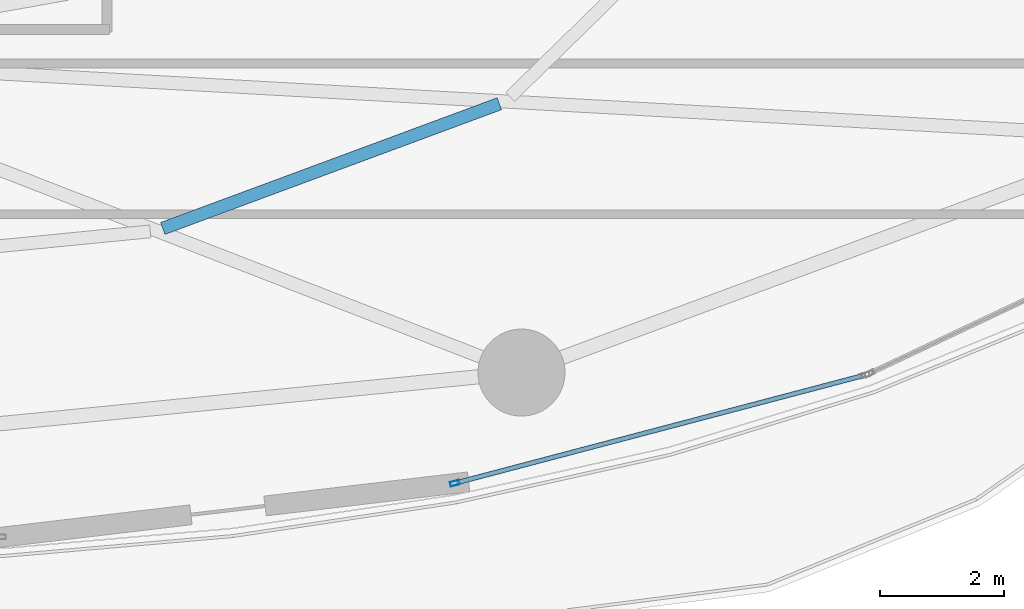
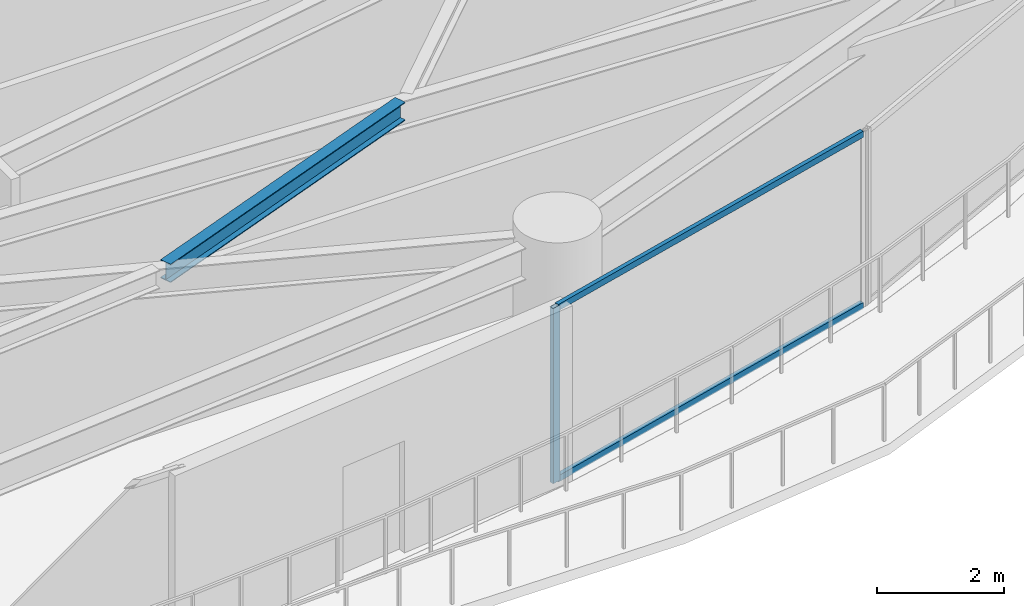
# One storey, part 12 of 31: 3 members, 1 beam, 1 element without a shape of its own.
"""IFC4 building model written with IfcOpenShell, lengths in metres."""

from ifc_helpers import new_model, si_unit, direction, frame, origin, origin_2d, place, context, subcontext, project, spatial, hollow_rectangle, i_section, extrude, material, layer, layer_set, material_profile, profile_set, type_object, element, aggregate, save


model = new_model("IFC4")

# Units and contexts
model_context = context("Model", 3, precision=1e-05, world=origin(), true_north=direction((0.0, 1.0)))
body_context = subcontext(model_context, "Body", "Model", "MODEL_VIEW")
ifc_project = project(units=[si_unit("LENGTHUNIT", "METRE"), si_unit("AREAUNIT", "SQUARE_METRE"), si_unit("VOLUMEUNIT", "CUBIC_METRE"), si_unit("PLANEANGLEUNIT", "RADIAN"), si_unit("MASSUNIT", "GRAM", prefix="KILO")], contexts=[model_context])

# Site, building, storey
site_placement = place(None, origin())
site = spatial("IfcSite", under=ifc_project, at=site_placement, CompositionType="ELEMENT")
building_placement = place(site_placement, origin())
building = spatial("IfcBuilding", under=site, at=building_placement, Name="Kazevale Care Tower and Concert Hall", CompositionType="ELEMENT")
storey_placement = place(building_placement, frame((0.0, 0.0, 78.0)))
storey = spatial("IfcBuildingStorey", under=building, at=storey_placement, Name="L20", CompositionType="ELEMENT", Elevation=78.0)

# Curtain wall, members
ifc_material_1 = material(Name="Aluminium 6063-T6 and Low-E Glass", Category="aluminium")
ifc_layer = layer(ifc_material_1, 0.179931640625)
ifc_layer_set = layer_set([ifc_layer], Name="Aluminium 6063-T6 and Low-E Glass")
curtain_wall_type = type_object("IfcCurtainWallType", Name="Sheltered Concave Balcony Curtain Wall CW-5", PredefinedType="NOTDEFINED", material=ifc_layer_set)
curtain_wall_placement = place(storey_placement, origin())
curtain_wall = element("IfcCurtainWall", 1, at=curtain_wall_placement, inside=storey, type_object=curtain_wall_type, Name="cw:L20:f04", PredefinedType="NOTDEFINED")
ifc_material_2 = material(Name="Aluminium 6063-T6", Category="aluminium")
ifc_material_profile_1 = material_profile(ifc_material_2, hollow_rectangle(XDim=0.074951171875, YDim=0.14990234375, WallThickness=0.00390625, at=origin_2d()), Name="ALU75x150x4")
ifc_profile_set_1 = profile_set([ifc_material_profile_1], Name="Aluminium 6063-T6")
member_type_1 = type_object("IfcMemberType", Name="CW-5 Mullion ALU75x150x4", PredefinedType="MULLION", material=ifc_profile_set_1)
member_1_placement = place(storey_placement, frame((55.96826171875, 16.75048828125, 0.0), z_axis=(0.0, 0.0, 1.0), x_axis=(0.254828630267, -0.966986230097, 0.0)))
member_1 = element("IfcMember", 2, at=member_1_placement, type_object=member_type_1, Name="CW-5 mullion 2", PredefinedType="MULLION", context=body_context, shape_type="SweptSolid", body=[
    extrude(hollow_rectangle(XDim=0.074951171875, YDim=0.14990234375, WallThickness=0.00390625, at=origin_2d()), origin(), (0.0, 0.0, 1.0), 3.360107421875),
])
ifc_material_profile_2 = material_profile(ifc_material_2, hollow_rectangle(XDim=0.074951171875, YDim=0.1201171875, WallThickness=0.00390625, at=origin_2d()), Name="ALU75x120x4")
ifc_profile_set_2 = profile_set([ifc_material_profile_2], Name="Aluminium 6063-T6")
member_type_2 = type_object("IfcMemberType", Name="CW-5 Transom ALU75x120x4", PredefinedType="USERDEFINED", material=ifc_profile_set_2)
member_2_placement = place(storey_placement, frame((62.530517578125, 18.47998046875, 0.03759765625), z_axis=(-0.966978405759, -0.254858319064, 0.0), x_axis=(0.254858319064, -0.966978405759, 0.0)))
member_2 = element("IfcMember", 3, at=member_2_placement, type_object=member_type_2, Name="CW-5 transom 1.1", ObjectType="TRANSOM", PredefinedType="USERDEFINED", context=body_context, shape_type="SweptSolid", body=[
    extrude(hollow_rectangle(XDim=0.074951171875, YDim=0.1201171875, WallThickness=0.00390625, at=origin_2d()), origin(), (0.0, 0.0, 1.0), 6.748779296875),
])
member_3_placement = place(storey_placement, frame((62.530517578125, 18.47998046875, 3.322509765625), z_axis=(-0.966978405759, -0.254858319064, 0.0), x_axis=(0.254858319064, -0.966978405759, 0.0)))
member_3 = element("IfcMember", 4, at=member_3_placement, type_object=member_type_2, Name="CW-5 transom 1.2", ObjectType="TRANSOM", PredefinedType="USERDEFINED", context=body_context, shape_type="SweptSolid", body=[
    extrude(hollow_rectangle(XDim=0.074951171875, YDim=0.1201171875, WallThickness=0.00390625, at=origin_2d()), origin(), (0.0, 0.0, 1.0), 6.748779296875),
])
aggregate(curtain_wall, [member_1, member_2, member_3])

# Beam
ifc_material_3 = material(Name="Steel ASTM A572 Gr 50", Category="steel")
ifc_material_profile_3 = material_profile(ifc_material_3, i_section(OverallWidth=0.205078125, OverallDepth=0.35400390625, WebThickness=0.009521484375, FlangeThickness=0.016845703125, at=origin_2d()), Name="W360x79")
ifc_profile_set_3 = profile_set([ifc_material_profile_3], Name="Steel ASTM A572 Gr 50")
beam_type = type_object("IfcBeamType", Name="Secondary Floor Joist W360x79", PredefinedType="JOIST", material=ifc_profile_set_3)
beam_placement = place(storey_placement, frame((51.27001953125, 20.847900390625, 3.18310546875), z_axis=(0.937698254396, 0.347450692477, 0.0), x_axis=(-0.347450692477, 0.937698254396, 0.0)))
element("IfcBeam", 5, at=beam_placement, inside=storey, type_object=beam_type, Name="beam:L20:joist:14", PredefinedType="JOIST", context=body_context, shape_type="SweptSolid", body=[
    extrude(i_section(OverallWidth=0.205078125, OverallDepth=0.35400390625, WebThickness=0.009521484375, FlangeThickness=0.016845703125, at=origin_2d()), origin(), (0.0, 0.0, 1.0), 5.773681640625),
])

save(model, "model.ifc")
